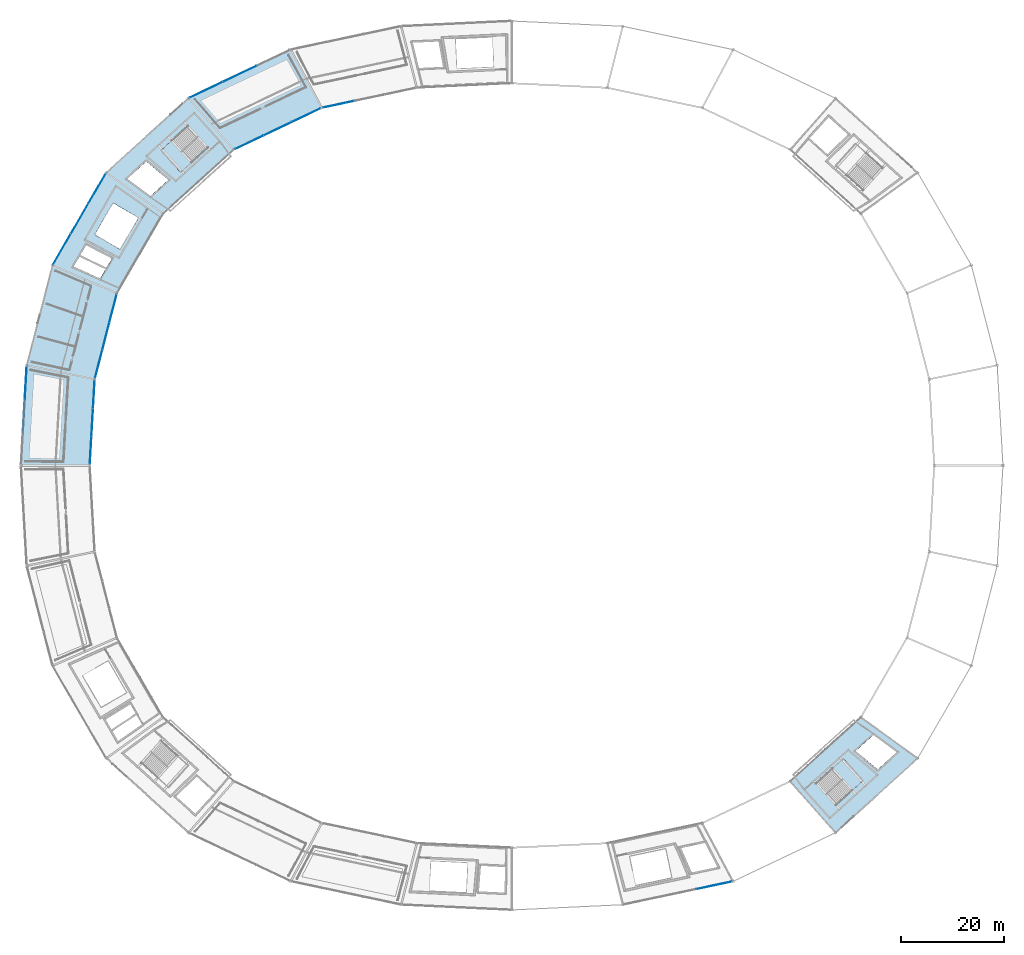
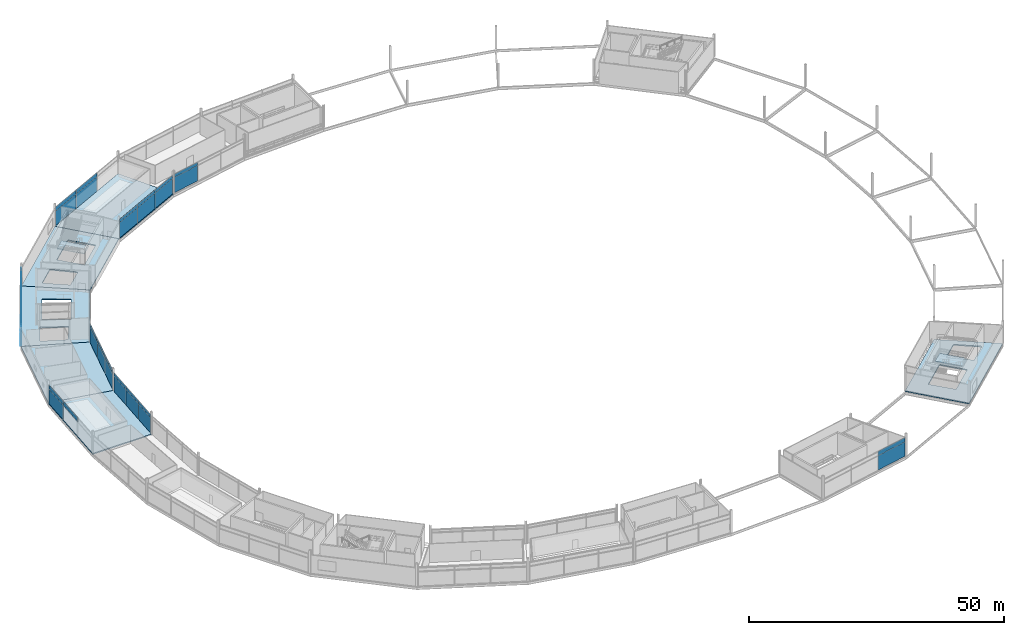
# One storey, part 65 of 86: 35 plates, 8 slabs, 10 elements without a shape of their own.
"""IFC4 building model written with IfcOpenShell, lengths in metres."""

from ifc_helpers import new_model, si_unit, direction, frame, origin, origin_2d, place, context, subcontext, project, spatial, polyline, rectangle, outline, extrude, material, layer, layer_set, type_object, element, aggregate, save


model = new_model("IFC4")

# Units and contexts
model_context = context("Model", 3, precision=1e-05, world=origin(), true_north=direction((0.0, 1.0)))
body_context = subcontext(model_context, "Body", "Model", "MODEL_VIEW")
ifc_project = project(units=[si_unit("LENGTHUNIT", "METRE"), si_unit("AREAUNIT", "SQUARE_METRE"), si_unit("VOLUMEUNIT", "CUBIC_METRE"), si_unit("PLANEANGLEUNIT", "RADIAN"), si_unit("MASSUNIT", "GRAM", prefix="KILO")], contexts=[model_context])

# Site, building, storey
site_placement = place(None, origin())
site = spatial("IfcSite", under=ifc_project, at=site_placement, CompositionType="ELEMENT")
building_placement = place(site_placement, origin())
building = spatial("IfcBuilding", under=site, at=building_placement, Name="Kazemori Nagisa Stadium", CompositionType="ELEMENT")
storey_placement = place(building_placement, frame((0.0, 0.0, 31.280029296875)))
storey = spatial("IfcBuildingStorey", under=building, at=storey_placement, Name="L06", CompositionType="ELEMENT", Elevation=31.280029296875)

# Curtain wall, plates
ifc_material_1 = material(Name="Anodised aluminium 6063-T5", Category="aluminium")
ifc_layer_1 = layer(ifc_material_1, 0.239990234375, Name="Anodised aluminium 6063-T5", Category="aluminium")
ifc_layer_set_1 = layer_set([ifc_layer_1], Name="Anodised aluminium 6063-T5")
curtain_wall_type_1 = type_object("IfcCurtainWallType", Name="CW_L06G_81", PredefinedType="USERDEFINED", material=ifc_layer_set_1)
curtain_wall_1_placement = place(storey_placement, origin())
curtain_wall_1 = element("IfcCurtainWall", 1, at=curtain_wall_1_placement, inside=storey, type_object=curtain_wall_type_1, Name="Unitised curtain wall CW-L06G-81 L06", ObjectType="UNITISED CURTAIN WALL", PredefinedType="USERDEFINED")
ifc_material_2 = material(Name="Anodised aluminium spandrel sheet", Category="aluminium")
ifc_layer_2 = layer(ifc_material_2, 0.050048828125, Name="Anodised aluminium spandrel sheet", Category="aluminium")
ifc_layer_set_2 = layer_set([ifc_layer_2], Name="Anodised aluminium spandrel sheet")
plate_type_1 = type_object("IfcPlateType", Name="CWPanel_SPN_L06G_81", PredefinedType="CURTAIN_PANEL", material=ifc_layer_set_2)
plate_1_placement = place(storey_placement, frame((42.091064453125, 115.7119140625, 3.6982421875), z_axis=(0.0, 0.0, 1.0), x_axis=(-0.057601670941, -0.998339645364, 0.0)))
plate_1 = element("IfcPlate", 2, at=plate_1_placement, type_object=plate_type_1, Name="Curtain wall spandrel panel CW-L06G-81-S1", PredefinedType="CURTAIN_PANEL", context=body_context, shape_type="SweptSolid", body=[
    extrude(rectangle(XDim=5.35595703125, YDim=0.050048828125, at=origin_2d()), origin(), (0.0, 0.0, 1.0), 0.811767578125),
])
plate_2_placement = place(storey_placement, frame((41.78125, 110.341064453125, 3.6982421875), z_axis=(0.0, 0.0, 1.0), x_axis=(-0.057601670941, -0.998339645364, 0.0)))
plate_2 = element("IfcPlate", 3, at=plate_2_placement, type_object=plate_type_1, Name="Curtain wall spandrel panel CW-L06G-81-S2", PredefinedType="CURTAIN_PANEL", context=body_context, shape_type="SweptSolid", body=[
    extrude(rectangle(XDim=5.35595703125, YDim=0.050048828125, at=origin_2d()), origin(), (0.0, 0.0, 1.0), 0.811767578125),
])
plate_3_placement = place(storey_placement, frame((41.471435546875, 104.969970703125, 3.6982421875), z_axis=(0.0, 0.0, 1.0), x_axis=(-0.057601670941, -0.998339645364, 0.0)))
plate_3 = element("IfcPlate", 4, at=plate_3_placement, type_object=plate_type_1, Name="Curtain wall spandrel panel CW-L06G-81-S3", PredefinedType="CURTAIN_PANEL", context=body_context, shape_type="SweptSolid", body=[
    extrude(rectangle(XDim=5.35595703125, YDim=0.050048828125, at=origin_2d()), origin(), (0.0, 0.0, 1.0), 0.811767578125),
])

ifc_layer_3 = layer(ifc_material_1, 0.239990234375, Name="Anodised aluminium 6063-T5", Category="aluminium")
ifc_layer_set_3 = layer_set([ifc_layer_3], Name="Anodised aluminium 6063-T5")
curtain_wall_type_2 = type_object("IfcCurtainWallType", Name="CW_L06G_83", PredefinedType="USERDEFINED", material=ifc_layer_set_3)
curtain_wall_2_placement = place(storey_placement, origin())
curtain_wall_2 = element("IfcCurtainWall", 5, at=curtain_wall_2_placement, inside=storey, type_object=curtain_wall_type_2, Name="Unitised curtain wall CW-L06G-83 L06", ObjectType="UNITISED CURTAIN WALL", PredefinedType="USERDEFINED")
ifc_layer_4 = layer(ifc_material_2, 0.050048828125, Name="Anodised aluminium spandrel sheet", Category="aluminium")
ifc_layer_set_4 = layer_set([ifc_layer_4], Name="Anodised aluminium spandrel sheet")
plate_type_2 = type_object("IfcPlateType", Name="CWPanel_SPN_L06G_83", PredefinedType="CURTAIN_PANEL", material=ifc_layer_set_4)
plate_4_placement = place(storey_placement, frame((45.79541015625, 132.366943359375, 3.6982421875), z_axis=(0.0, 0.0, 1.0), x_axis=(-0.249964642418, -0.968254965152, 0.0)))
plate_4 = element("IfcPlate", 6, at=plate_4_placement, type_object=plate_type_2, Name="Curtain wall spandrel panel CW-L06G-83-S1", PredefinedType="CURTAIN_PANEL", context=body_context, shape_type="SweptSolid", body=[
    extrude(rectangle(XDim=5.515380859375, YDim=0.050048828125, at=origin_2d()), origin(), (0.0, 0.0, 1.0), 0.811767578125),
])
plate_5_placement = place(storey_placement, frame((44.41064453125, 127.00341796875, 3.6982421875), z_axis=(0.0, 0.0, 1.0), x_axis=(-0.249964642418, -0.968254965152, 0.0)))
plate_5 = element("IfcPlate", 7, at=plate_5_placement, type_object=plate_type_2, Name="Curtain wall spandrel panel CW-L06G-83-S2", PredefinedType="CURTAIN_PANEL", context=body_context, shape_type="SweptSolid", body=[
    extrude(rectangle(XDim=5.515380859375, YDim=0.050048828125, at=origin_2d()), origin(), (0.0, 0.0, 1.0), 0.811767578125),
])
plate_6_placement = place(storey_placement, frame((43.026123046875, 121.6396484375, 3.6982421875), z_axis=(0.0, 0.0, 1.0), x_axis=(-0.249964642418, -0.968254965152, 0.0)))
plate_6 = element("IfcPlate", 8, at=plate_6_placement, type_object=plate_type_2, Name="Curtain wall spandrel panel CW-L06G-83-S3", PredefinedType="CURTAIN_PANEL", context=body_context, shape_type="SweptSolid", body=[
    extrude(rectangle(XDim=5.515380859375, YDim=0.050048828125, at=origin_2d()), origin(), (0.0, 0.0, 1.0), 0.811767578125),
])

# Curtain wall, plate
ifc_layer_5 = layer(ifc_material_1, 0.239990234375, Name="Anodised aluminium 6063-T5", Category="aluminium")
ifc_layer_set_5 = layer_set([ifc_layer_5], Name="Anodised aluminium 6063-T5")
curtain_wall_type_3 = type_object("IfcCurtainWallType", Name="CW_L06G_91", PredefinedType="USERDEFINED", material=ifc_layer_set_5)
curtain_wall_3_placement = place(storey_placement, origin())
curtain_wall_3 = element("IfcCurtainWall", 9, at=curtain_wall_3_placement, inside=storey, type_object=curtain_wall_type_3, Name="Unitised curtain wall CW-L06G-91 L06", ObjectType="UNITISED CURTAIN WALL", PredefinedType="USERDEFINED")
ifc_layer_6 = layer(ifc_material_2, 0.050048828125, Name="Anodised aluminium spandrel sheet", Category="aluminium")
ifc_layer_set_6 = layer_set([ifc_layer_6], Name="Anodised aluminium spandrel sheet")
plate_type_3 = type_object("IfcPlateType", Name="CWPanel_SPN_L06G_91", PredefinedType="CURTAIN_PANEL", material=ifc_layer_set_6)
plate_7_placement = place(storey_placement, frame((89.437744140625, 171.88671875, 3.6982421875), z_axis=(0.0, 0.0, 1.0), x_axis=(-0.978344955407, -0.206981033502, 0.0)))
plate_7 = element("IfcPlate", 10, at=plate_7_placement, type_object=plate_type_3, Name="Curtain wall spandrel panel CW-L06G-91-S3", PredefinedType="CURTAIN_PANEL", context=body_context, shape_type="SweptSolid", body=[
    extrude(rectangle(XDim=6.049560546875, YDim=0.050048828125, at=origin_2d()), origin(), (0.0, 0.0, 1.0), 0.811767578125),
])

# Curtain wall, plates
ifc_layer_7 = layer(ifc_material_1, 0.239990234375, Name="Anodised aluminium 6063-T5", Category="aluminium")
ifc_layer_set_7 = layer_set([ifc_layer_7], Name="Anodised aluminium 6063-T5")
curtain_wall_type_4 = type_object("IfcCurtainWallType", Name="CW_L06G_92", PredefinedType="USERDEFINED", material=ifc_layer_set_7)
curtain_wall_4_placement = place(storey_placement, origin())
curtain_wall_4 = element("IfcCurtainWall", 11, at=curtain_wall_4_placement, inside=storey, type_object=curtain_wall_type_4, Name="Unitised curtain wall CW-L06G-92 L06", ObjectType="UNITISED CURTAIN WALL", PredefinedType="USERDEFINED")
ifc_layer_8 = layer(ifc_material_2, 0.050048828125, Name="Anodised aluminium spandrel sheet", Category="aluminium")
ifc_layer_set_8 = layer_set([ifc_layer_8], Name="Anodised aluminium spandrel sheet")
plate_type_4 = type_object("IfcPlateType", Name="CWPanel_SPN_L06G_92", PredefinedType="CURTAIN_PANEL", material=ifc_layer_set_8)
plate_8_placement = place(storey_placement, frame((83.17919921875, 169.76953125, 3.6982421875), z_axis=(0.0, 0.0, 1.0), x_axis=(-0.903215892654, -0.429186499388, 0.0)))
plate_8 = element("IfcPlate", 12, at=plate_8_placement, type_object=plate_type_4, Name="Curtain wall spandrel panel CW-L06G-92-S1", PredefinedType="CURTAIN_PANEL", context=body_context, shape_type="SweptSolid", body=[
    extrude(rectangle(XDim=6.068115234375, YDim=0.050048828125, at=origin_2d()), origin(), (0.0, 0.0, 1.0), 0.811767578125),
])
plate_9_placement = place(storey_placement, frame((77.6767578125, 167.155029296875, 3.6982421875), z_axis=(0.0, 0.0, 1.0), x_axis=(-0.903215892654, -0.429186499388, 0.0)))
plate_9 = element("IfcPlate", 13, at=plate_9_placement, type_object=plate_type_4, Name="Curtain wall spandrel panel CW-L06G-92-S2", PredefinedType="CURTAIN_PANEL", context=body_context, shape_type="SweptSolid", body=[
    extrude(rectangle(XDim=6.068115234375, YDim=0.050048828125, at=origin_2d()), origin(), (0.0, 0.0, 1.0), 0.811767578125),
])
plate_10_placement = place(storey_placement, frame((72.17431640625, 164.540283203125, 3.6982421875), z_axis=(0.0, 0.0, 1.0), x_axis=(-0.903215892654, -0.429186499388, 0.0)))
plate_10 = element("IfcPlate", 14, at=plate_10_placement, type_object=plate_type_4, Name="Curtain wall spandrel panel CW-L06G-92-S3", PredefinedType="CURTAIN_PANEL", context=body_context, shape_type="SweptSolid", body=[
    extrude(rectangle(XDim=6.068115234375, YDim=0.050048828125, at=origin_2d()), origin(), (0.0, 0.0, 1.0), 0.811767578125),
])

ifc_layer_9 = layer(ifc_material_1, 0.239990234375, Name="Anodised aluminium 6063-T5", Category="aluminium")
ifc_layer_set_9 = layer_set([ifc_layer_9], Name="Anodised aluminium 6063-T5")
curtain_wall_type_5 = type_object("IfcCurtainWallType", Name="CW_L06R3_102", PredefinedType="USERDEFINED", material=ifc_layer_set_9)
curtain_wall_5_placement = place(storey_placement, origin())
curtain_wall_5 = element("IfcCurtainWall", 15, at=curtain_wall_5_placement, inside=storey, type_object=curtain_wall_type_5, Name="Unitised curtain wall CW-L06R3-102 L06", ObjectType="UNITISED CURTAIN WALL", PredefinedType="USERDEFINED")
ifc_layer_10 = layer(ifc_material_2, 0.053955078125, Name="Anodised aluminium spandrel sheet", Category="aluminium")
ifc_layer_set_10 = layer_set([ifc_layer_10], Name="Anodised aluminium spandrel sheet")
plate_type_5 = type_object("IfcPlateType", Name="CWPanel_SPN_L06R3_102", PredefinedType="CURTAIN_PANEL", material=ifc_layer_set_10)
plate_11_placement = place(storey_placement, frame((42.6943359375, 155.545654296875, 3.47265625), z_axis=(0.0, 0.0, 1.0), x_axis=(-0.501611590054, -0.865092950337, 0.0)))
plate_11 = element("IfcPlate", 16, at=plate_11_placement, type_object=plate_type_5, Name="Curtain wall spandrel panel CW-L06R3-102-S1", PredefinedType="CURTAIN_PANEL", context=body_context, shape_type="SweptSolid", body=[
    extrude(rectangle(XDim=6.723388671875, YDim=0.053955078125, at=origin_2d()), origin(), (0.0, 0.0, 1.0), 1.037353515625),
])
plate_12_placement = place(storey_placement, frame((39.309814453125, 149.70849609375, 3.47265625), z_axis=(0.0, 0.0, 1.0), x_axis=(-0.501611590054, -0.865092950337, 0.0)))
plate_12 = element("IfcPlate", 17, at=plate_12_placement, type_object=plate_type_5, Name="Curtain wall spandrel panel CW-L06R3-102-S2", PredefinedType="CURTAIN_PANEL", context=body_context, shape_type="SweptSolid", body=[
    extrude(rectangle(XDim=6.723388671875, YDim=0.053955078125, at=origin_2d()), origin(), (0.0, 0.0, 1.0), 1.037353515625),
])
plate_13_placement = place(storey_placement, frame((35.92529296875, 143.871337890625, 3.47265625), z_axis=(0.0, 0.0, 1.0), x_axis=(-0.501611590054, -0.865092950337, 0.0)))
plate_13 = element("IfcPlate", 18, at=plate_13_placement, type_object=plate_type_5, Name="Curtain wall spandrel panel CW-L06R3-102-S3", PredefinedType="CURTAIN_PANEL", context=body_context, shape_type="SweptSolid", body=[
    extrude(rectangle(XDim=6.723388671875, YDim=0.053955078125, at=origin_2d()), origin(), (0.0, 0.0, 1.0), 1.037353515625),
])

# Curtain wall, plate
ifc_layer_11 = layer(ifc_material_1, 0.239990234375, Name="Anodised aluminium 6063-T5", Category="aluminium")
ifc_layer_set_11 = layer_set([ifc_layer_11], Name="Anodised aluminium 6063-T5")
curtain_wall_type_6 = type_object("IfcCurtainWallType", Name="CW_L06R3_107", PredefinedType="USERDEFINED", material=ifc_layer_set_11)
curtain_wall_6_placement = place(storey_placement, origin())
curtain_wall_6 = element("IfcCurtainWall", 19, at=curtain_wall_6_placement, inside=storey, type_object=curtain_wall_type_6, Name="Unitised curtain wall CW-L06R3-107 L06", ObjectType="UNITISED CURTAIN WALL", PredefinedType="USERDEFINED")
ifc_layer_12 = layer(ifc_material_2, 0.053955078125, Name="Anodised aluminium spandrel sheet", Category="aluminium")
ifc_layer_set_12 = layer_set([ifc_layer_12], Name="Anodised aluminium spandrel sheet")
plate_type_6 = type_object("IfcPlateType", Name="CWPanel_SPN_L06R3_107", PredefinedType="CURTAIN_PANEL", material=ifc_layer_set_12)
plate_14_placement = place(storey_placement, frame((162.088623046875, 20.74951171875, 3.47265625), z_axis=(0.0, 0.0, 1.0), x_axis=(0.978344955407, 0.206981033502, 0.0)))
plate_14 = element("IfcPlate", 20, at=plate_14_placement, type_object=plate_type_6, Name="Curtain wall spandrel panel CW-L06R3-107-S3", PredefinedType="CURTAIN_PANEL", context=body_context, shape_type="SweptSolid", body=[
    extrude(rectangle(XDim=7.102783203125, YDim=0.053955078125, at=origin_2d()), origin(), (0.0, 0.0, 1.0), 1.037353515625),
])

# Curtain wall, plates
ifc_layer_13 = layer(ifc_material_1, 0.239990234375, Name="Anodised aluminium 6063-T5", Category="aluminium")
ifc_layer_set_13 = layer_set([ifc_layer_13], Name="Anodised aluminium 6063-T5")
curtain_wall_type_7 = type_object("IfcCurtainWallType", Name="CW_L06R3_108", PredefinedType="USERDEFINED", material=ifc_layer_set_13)
curtain_wall_7_placement = place(storey_placement, origin())
curtain_wall_7 = element("IfcCurtainWall", 21, at=curtain_wall_7_placement, inside=storey, type_object=curtain_wall_type_7, Name="Unitised curtain wall CW-L06R3-108 L06", ObjectType="UNITISED CURTAIN WALL", PredefinedType="USERDEFINED")
ifc_layer_14 = layer(ifc_material_2, 0.053955078125, Name="Anodised aluminium spandrel sheet", Category="aluminium")
ifc_layer_set_14 = layer_set([ifc_layer_14], Name="Anodised aluminium spandrel sheet")
plate_type_7 = type_object("IfcPlateType", Name="CWPanel_SPN_L06R3_108", PredefinedType="CURTAIN_PANEL", material=ifc_layer_set_14)
plate_15_placement = place(storey_placement, frame((70.298583984375, 177.76171875, 3.47265625), z_axis=(0.0, 0.0, 1.0), x_axis=(-0.903215892654, -0.429186499388, 0.0)))
plate_15 = element("IfcPlate", 22, at=plate_15_placement, type_object=plate_type_7, Name="Curtain wall spandrel panel CW-L06R3-108-S2", PredefinedType="CURTAIN_PANEL", context=body_context, shape_type="SweptSolid", body=[
    extrude(rectangle(XDim=7.1240234375, YDim=0.053955078125, at=origin_2d()), origin(), (0.0, 0.0, 1.0), 1.037353515625),
])
plate_16_placement = place(storey_placement, frame((63.84228515625, 174.69384765625, 3.47265625), z_axis=(0.0, 0.0, 1.0), x_axis=(-0.903215892654, -0.429186499388, 0.0)))
plate_16 = element("IfcPlate", 23, at=plate_16_placement, type_object=plate_type_7, Name="Curtain wall spandrel panel CW-L06R3-108-S3", PredefinedType="CURTAIN_PANEL", context=body_context, shape_type="SweptSolid", body=[
    extrude(rectangle(XDim=7.1240234375, YDim=0.053955078125, at=origin_2d()), origin(), (0.0, 0.0, 1.0), 1.037353515625),
])

ifc_layer_15 = layer(ifc_material_1, 0.239990234375, Name="Anodised aluminium 6063-T5", Category="aluminium")
ifc_layer_set_15 = layer_set([ifc_layer_15], Name="Anodised aluminium 6063-T5")
curtain_wall_type_8 = type_object("IfcCurtainWallType", Name="CW_L06R3_95", PredefinedType="USERDEFINED", material=ifc_layer_set_15)
curtain_wall_8_placement = place(storey_placement, origin())
curtain_wall_8 = element("IfcCurtainWall", 24, at=curtain_wall_8_placement, inside=storey, type_object=curtain_wall_type_8, Name="Unitised curtain wall CW-L06R3-95 L06", ObjectType="UNITISED CURTAIN WALL", PredefinedType="USERDEFINED")
ifc_layer_16 = layer(ifc_material_2, 0.053955078125, Name="Anodised aluminium spandrel sheet", Category="aluminium")
ifc_layer_set_16 = layer_set([ifc_layer_16], Name="Anodised aluminium spandrel sheet")
plate_type_8 = type_object("IfcPlateType", Name="CWPanel_SPN_L06R3_95", PredefinedType="CURTAIN_PANEL", material=ifc_layer_set_16)
plate_17_placement = place(storey_placement, frame((28.923583984375, 118.00830078125, 3.47265625), z_axis=(0.0, 0.0, 1.0), x_axis=(-0.057601670941, -0.998339645364, 0.0)))
plate_17 = element("IfcPlate", 25, at=plate_17_placement, type_object=plate_type_8, Name="Curtain wall spandrel panel CW-L06R3-95-S1", PredefinedType="CURTAIN_PANEL", context=body_context, shape_type="SweptSolid", body=[
    extrude(rectangle(XDim=6.2958984375, YDim=0.053955078125, at=origin_2d()), origin(), (0.0, 0.0, 1.0), 1.037353515625),
])
plate_18_placement = place(storey_placement, frame((28.5595703125, 111.69873046875, 3.47265625), z_axis=(0.0, 0.0, 1.0), x_axis=(-0.057601670941, -0.998339645364, 0.0)))
plate_18 = element("IfcPlate", 26, at=plate_18_placement, type_object=plate_type_8, Name="Curtain wall spandrel panel CW-L06R3-95-S2", PredefinedType="CURTAIN_PANEL", context=body_context, shape_type="SweptSolid", body=[
    extrude(rectangle(XDim=6.2958984375, YDim=0.053955078125, at=origin_2d()), origin(), (0.0, 0.0, 1.0), 1.037353515625),
])

# Plate
ifc_material_3 = material(Name="Low-e laminated double glazing", Category="glass")
ifc_layer_17 = layer(ifc_material_3, 0.0400390625, Name="Low-e laminated double glazing", Category="glass")
ifc_layer_set_17 = layer_set([ifc_layer_17], Name="Low-e laminated double glazing")
plate_type_9 = type_object("IfcPlateType", Name="CWPanel_VIS_L06G_81", PredefinedType="CURTAIN_PANEL", material=ifc_layer_set_17)
plate_19_placement = place(storey_placement, frame((42.091064453125, 115.7119140625, 0.0), z_axis=(0.0, 0.0, 1.0), x_axis=(-0.057601670941, -0.998339645364, 0.0)))
plate_19 = element("IfcPlate", 27, at=plate_19_placement, type_object=plate_type_9, Name="Curtain wall vision panel CW-L06G-81-V1", PredefinedType="CURTAIN_PANEL", context=body_context, shape_type="SweptSolid", body=[
    extrude(rectangle(XDim=5.35595703125, YDim=0.0400390625, at=origin_2d()), origin(), (0.0, 0.0, 1.0), 3.6982421875),
])

plate_20_placement = place(storey_placement, frame((41.78125, 110.341064453125, 0.0), z_axis=(0.0, 0.0, 1.0), x_axis=(-0.057601670941, -0.998339645364, 0.0)))
plate_20 = element("IfcPlate", 28, at=plate_20_placement, type_object=plate_type_9, Name="Curtain wall vision panel CW-L06G-81-V2", PredefinedType="CURTAIN_PANEL", context=body_context, shape_type="SweptSolid", body=[
    extrude(rectangle(XDim=5.35595703125, YDim=0.0400390625, at=origin_2d()), origin(), (0.0, 0.0, 1.0), 3.6982421875),
])

plate_21_placement = place(storey_placement, frame((41.471435546875, 104.969970703125, 0.0), z_axis=(0.0, 0.0, 1.0), x_axis=(-0.057601670941, -0.998339645364, 0.0)))
plate_21 = element("IfcPlate", 29, at=plate_21_placement, type_object=plate_type_9, Name="Curtain wall vision panel CW-L06G-81-V3", PredefinedType="CURTAIN_PANEL", context=body_context, shape_type="SweptSolid", body=[
    extrude(rectangle(XDim=5.35595703125, YDim=0.0400390625, at=origin_2d()), origin(), (0.0, 0.0, 1.0), 3.6982421875),
])

aggregate(curtain_wall_1, [plate_19, plate_1, plate_20, plate_2, plate_21, plate_3])

ifc_layer_18 = layer(ifc_material_3, 0.0400390625, Name="Low-e laminated double glazing", Category="glass")
ifc_layer_set_18 = layer_set([ifc_layer_18], Name="Low-e laminated double glazing")
plate_type_10 = type_object("IfcPlateType", Name="CWPanel_VIS_L06G_83", PredefinedType="CURTAIN_PANEL", material=ifc_layer_set_18)
plate_22_placement = place(storey_placement, frame((45.79541015625, 132.366943359375, 0.0), z_axis=(0.0, 0.0, 1.0), x_axis=(-0.249964642418, -0.968254965152, 0.0)))
plate_22 = element("IfcPlate", 30, at=plate_22_placement, type_object=plate_type_10, Name="Curtain wall vision panel CW-L06G-83-V1", PredefinedType="CURTAIN_PANEL", context=body_context, shape_type="SweptSolid", body=[
    extrude(rectangle(XDim=5.515380859375, YDim=0.0400390625, at=origin_2d()), origin(), (0.0, 0.0, 1.0), 3.6982421875),
])

plate_23_placement = place(storey_placement, frame((44.41064453125, 127.00341796875, 0.0), z_axis=(0.0, 0.0, 1.0), x_axis=(-0.249964642418, -0.968254965152, 0.0)))
plate_23 = element("IfcPlate", 31, at=plate_23_placement, type_object=plate_type_10, Name="Curtain wall vision panel CW-L06G-83-V2", PredefinedType="CURTAIN_PANEL", context=body_context, shape_type="SweptSolid", body=[
    extrude(rectangle(XDim=5.515380859375, YDim=0.0400390625, at=origin_2d()), origin(), (0.0, 0.0, 1.0), 3.6982421875),
])

plate_24_placement = place(storey_placement, frame((43.026123046875, 121.6396484375, 0.0), z_axis=(0.0, 0.0, 1.0), x_axis=(-0.249964642418, -0.968254965152, 0.0)))
plate_24 = element("IfcPlate", 32, at=plate_24_placement, type_object=plate_type_10, Name="Curtain wall vision panel CW-L06G-83-V3", PredefinedType="CURTAIN_PANEL", context=body_context, shape_type="SweptSolid", body=[
    extrude(rectangle(XDim=5.515380859375, YDim=0.0400390625, at=origin_2d()), origin(), (0.0, 0.0, 1.0), 3.6982421875),
])

aggregate(curtain_wall_2, [plate_22, plate_4, plate_23, plate_5, plate_24, plate_6])

ifc_layer_19 = layer(ifc_material_3, 0.0400390625, Name="Low-e laminated double glazing", Category="glass")
ifc_layer_set_19 = layer_set([ifc_layer_19], Name="Low-e laminated double glazing")
plate_type_11 = type_object("IfcPlateType", Name="CWPanel_VIS_L06G_91", PredefinedType="CURTAIN_PANEL", material=ifc_layer_set_19)
plate_25_placement = place(storey_placement, frame((89.437744140625, 171.88671875, 0.0), z_axis=(0.0, 0.0, 1.0), x_axis=(-0.978344955407, -0.206981033502, 0.0)))
plate_25 = element("IfcPlate", 33, at=plate_25_placement, type_object=plate_type_11, Name="Curtain wall vision panel CW-L06G-91-V3", PredefinedType="CURTAIN_PANEL", context=body_context, shape_type="SweptSolid", body=[
    extrude(rectangle(XDim=6.049560546875, YDim=0.0400390625, at=origin_2d()), origin(), (0.0, 0.0, 1.0), 3.6982421875),
])

aggregate(curtain_wall_3, [plate_25, plate_7])

ifc_layer_20 = layer(ifc_material_3, 0.0400390625, Name="Low-e laminated double glazing", Category="glass")
ifc_layer_set_20 = layer_set([ifc_layer_20], Name="Low-e laminated double glazing")
plate_type_12 = type_object("IfcPlateType", Name="CWPanel_VIS_L06G_92", PredefinedType="CURTAIN_PANEL", material=ifc_layer_set_20)
plate_26_placement = place(storey_placement, frame((83.17919921875, 169.76953125, 0.0), z_axis=(0.0, 0.0, 1.0), x_axis=(-0.903215892654, -0.429186499388, 0.0)))
plate_26 = element("IfcPlate", 34, at=plate_26_placement, type_object=plate_type_12, Name="Curtain wall vision panel CW-L06G-92-V1", PredefinedType="CURTAIN_PANEL", context=body_context, shape_type="SweptSolid", body=[
    extrude(rectangle(XDim=6.068115234375, YDim=0.0400390625, at=origin_2d()), origin(), (0.0, 0.0, 1.0), 3.6982421875),
])

plate_27_placement = place(storey_placement, frame((77.6767578125, 167.155029296875, 0.0), z_axis=(0.0, 0.0, 1.0), x_axis=(-0.903215892654, -0.429186499388, 0.0)))
plate_27 = element("IfcPlate", 35, at=plate_27_placement, type_object=plate_type_12, Name="Curtain wall vision panel CW-L06G-92-V2", PredefinedType="CURTAIN_PANEL", context=body_context, shape_type="SweptSolid", body=[
    extrude(rectangle(XDim=6.068115234375, YDim=0.0400390625, at=origin_2d()), origin(), (0.0, 0.0, 1.0), 3.6982421875),
])

plate_28_placement = place(storey_placement, frame((72.17431640625, 164.540283203125, 0.0), z_axis=(0.0, 0.0, 1.0), x_axis=(-0.903215892654, -0.429186499388, 0.0)))
plate_28 = element("IfcPlate", 36, at=plate_28_placement, type_object=plate_type_12, Name="Curtain wall vision panel CW-L06G-92-V3", PredefinedType="CURTAIN_PANEL", context=body_context, shape_type="SweptSolid", body=[
    extrude(rectangle(XDim=6.068115234375, YDim=0.0400390625, at=origin_2d()), origin(), (0.0, 0.0, 1.0), 3.6982421875),
])

aggregate(curtain_wall_4, [plate_26, plate_8, plate_27, plate_9, plate_28, plate_10])

ifc_layer_21 = layer(ifc_material_3, 0.0380859375, Name="Low-e laminated double glazing", Category="glass")
ifc_layer_set_21 = layer_set([ifc_layer_21], Name="Low-e laminated double glazing")
plate_type_13 = type_object("IfcPlateType", Name="CWPanel_VIS_L06R3_102", PredefinedType="CURTAIN_PANEL", material=ifc_layer_set_21)
plate_29_placement = place(storey_placement, frame((42.6943359375, 155.545654296875, 0.0), z_axis=(0.0, 0.0, 1.0), x_axis=(-0.501611590054, -0.865092950337, 0.0)))
plate_29 = element("IfcPlate", 37, at=plate_29_placement, type_object=plate_type_13, Name="Curtain wall vision panel CW-L06R3-102-V1", PredefinedType="CURTAIN_PANEL", context=body_context, shape_type="SweptSolid", body=[
    extrude(rectangle(XDim=6.723388671875, YDim=0.0380859375, at=origin_2d()), origin(), (0.0, 0.0, 1.0), 3.47265625),
])

plate_30_placement = place(storey_placement, frame((39.309814453125, 149.70849609375, 0.0), z_axis=(0.0, 0.0, 1.0), x_axis=(-0.501611590054, -0.865092950337, 0.0)))
plate_30 = element("IfcPlate", 38, at=plate_30_placement, type_object=plate_type_13, Name="Curtain wall vision panel CW-L06R3-102-V2", PredefinedType="CURTAIN_PANEL", context=body_context, shape_type="SweptSolid", body=[
    extrude(rectangle(XDim=6.723388671875, YDim=0.0380859375, at=origin_2d()), origin(), (0.0, 0.0, 1.0), 3.47265625),
])

plate_31_placement = place(storey_placement, frame((35.92529296875, 143.871337890625, 0.0), z_axis=(0.0, 0.0, 1.0), x_axis=(-0.501611590054, -0.865092950337, 0.0)))
plate_31 = element("IfcPlate", 39, at=plate_31_placement, type_object=plate_type_13, Name="Curtain wall vision panel CW-L06R3-102-V3", PredefinedType="CURTAIN_PANEL", context=body_context, shape_type="SweptSolid", body=[
    extrude(rectangle(XDim=6.723388671875, YDim=0.0380859375, at=origin_2d()), origin(), (0.0, 0.0, 1.0), 3.47265625),
])

aggregate(curtain_wall_5, [plate_29, plate_11, plate_30, plate_12, plate_31, plate_13])

ifc_layer_22 = layer(ifc_material_3, 0.0380859375, Name="Low-e laminated double glazing", Category="glass")
ifc_layer_set_22 = layer_set([ifc_layer_22], Name="Low-e laminated double glazing")
plate_type_14 = type_object("IfcPlateType", Name="CWPanel_VIS_L06R3_107", PredefinedType="CURTAIN_PANEL", material=ifc_layer_set_22)
plate_32_placement = place(storey_placement, frame((162.088623046875, 20.74951171875, 0.0), z_axis=(0.0, 0.0, 1.0), x_axis=(0.978344955407, 0.206981033502, 0.0)))
plate_32 = element("IfcPlate", 40, at=plate_32_placement, type_object=plate_type_14, Name="Curtain wall vision panel CW-L06R3-107-V3", PredefinedType="CURTAIN_PANEL", context=body_context, shape_type="SweptSolid", body=[
    extrude(rectangle(XDim=7.102783203125, YDim=0.0380859375, at=origin_2d()), origin(), (0.0, 0.0, 1.0), 3.47265625),
])

aggregate(curtain_wall_6, [plate_32, plate_14])

ifc_layer_23 = layer(ifc_material_3, 0.0380859375, Name="Low-e laminated double glazing", Category="glass")
ifc_layer_set_23 = layer_set([ifc_layer_23], Name="Low-e laminated double glazing")
plate_type_15 = type_object("IfcPlateType", Name="CWPanel_VIS_L06R3_108", PredefinedType="CURTAIN_PANEL", material=ifc_layer_set_23)
plate_33_placement = place(storey_placement, frame((70.298583984375, 177.76171875, 0.0), z_axis=(0.0, 0.0, 1.0), x_axis=(-0.903215892654, -0.429186499388, 0.0)))
plate_33 = element("IfcPlate", 41, at=plate_33_placement, type_object=plate_type_15, Name="Curtain wall vision panel CW-L06R3-108-V2", PredefinedType="CURTAIN_PANEL", context=body_context, shape_type="SweptSolid", body=[
    extrude(rectangle(XDim=7.1240234375, YDim=0.0380859375, at=origin_2d()), origin(), (0.0, 0.0, 1.0), 3.47265625),
])

plate_34_placement = place(storey_placement, frame((63.84228515625, 174.69384765625, 0.0), z_axis=(0.0, 0.0, 1.0), x_axis=(-0.903215892654, -0.429186499388, 0.0)))
plate_34 = element("IfcPlate", 42, at=plate_34_placement, type_object=plate_type_15, Name="Curtain wall vision panel CW-L06R3-108-V3", PredefinedType="CURTAIN_PANEL", context=body_context, shape_type="SweptSolid", body=[
    extrude(rectangle(XDim=7.1240234375, YDim=0.0380859375, at=origin_2d()), origin(), (0.0, 0.0, 1.0), 3.47265625),
])

aggregate(curtain_wall_7, [plate_33, plate_15, plate_34, plate_16])

ifc_layer_24 = layer(ifc_material_3, 0.0380859375, Name="Low-e laminated double glazing", Category="glass")
ifc_layer_set_24 = layer_set([ifc_layer_24], Name="Low-e laminated double glazing")
plate_type_16 = type_object("IfcPlateType", Name="CWPanel_VIS_L06R3_95", PredefinedType="CURTAIN_PANEL", material=ifc_layer_set_24)
plate_35_placement = place(storey_placement, frame((28.923583984375, 118.00830078125, 0.0), z_axis=(0.0, 0.0, 1.0), x_axis=(-0.057601670941, -0.998339645364, 0.0)))
plate_35 = element("IfcPlate", 43, at=plate_35_placement, type_object=plate_type_16, Name="Curtain wall vision panel CW-L06R3-95-V1", PredefinedType="CURTAIN_PANEL", context=body_context, shape_type="SweptSolid", body=[
    extrude(rectangle(XDim=6.2958984375, YDim=0.0380859375, at=origin_2d()), origin(), (0.0, 0.0, 1.0), 3.47265625),
])

aggregate(curtain_wall_8, [plate_35, plate_17, plate_18])

# Stair, slab
ifc_material_4 = material(Name="Concrete C36/45 (Fc36)", Category="concrete")
stair_type = type_object("IfcStairType", Name="Stair_CORE_32", PredefinedType="TWO_STRAIGHT_RUN_STAIR", material=ifc_material_4)
stair_1_placement = place(storey_placement, origin())
stair_1 = element("IfcStair", 44, at=stair_1_placement, inside=storey, type_object=stair_type, Name="Exit stair ST02 L06", PredefinedType="TWO_STRAIGHT_RUN_STAIR")
ifc_layer_25 = layer(ifc_material_4, 0.199951171875, Name="Concrete C36/45 (Fc36)", Category="concrete")
ifc_layer_set_25 = layer_set([ifc_layer_25], Name="Concrete C36/45 (Fc36)")
slab_type_1 = type_object("IfcSlabType", Name="Slab_SL-LND-200", PredefinedType="LANDING", material=ifc_layer_set_25)
slab_1_placement = place(storey_placement, frame((0.0, 0.0, 2.52001953125)))
slab_1 = element("IfcSlab", 45, at=slab_1_placement, type_object=slab_type_1, Name="Exit stair ST02 L06 mid-landing", PredefinedType="LANDING", context=body_context, shape_type="SweptSolid", body=[
    extrude(outline(polyline([(60.97412109375, 160.630615234375), (58.861328125, 158.7177734375), (55.035888671875, 162.943603515625), (57.148681640625, 164.856201171875), (60.97412109375, 160.630615234375)])), origin(), (0.0, 0.0, 1.0), 0.199951171875),
])
aggregate(stair_1, [slab_1])

stair_2_placement = place(storey_placement, origin())
stair_2 = element("IfcStair", 46, at=stair_2_placement, inside=storey, type_object=stair_type, Name="Exit stair ST04 L06", PredefinedType="TWO_STRAIGHT_RUN_STAIR")
slab_2_placement = place(storey_placement, frame((0.0, 0.0, 2.52001953125)))
slab_2 = element("IfcSlab", 47, at=slab_2_placement, type_object=slab_type_1, Name="Exit stair ST04 L06 mid-landing", PredefinedType="LANDING", context=body_context, shape_type="SweptSolid", body=[
    extrude(outline(polyline([(185.02587890625, 43.369384765625), (187.138671875, 45.2822265625), (190.964111328125, 41.056396484375), (188.851318359375, 39.143798828125), (185.02587890625, 43.369384765625)])), origin(), (0.0, 0.0, 1.0), 0.199951171875),
])
aggregate(stair_2, [slab_2])

# Slabs
ifc_layer_26 = layer(ifc_material_4, 0.260009765625, Name="Concrete C36/45 (Fc36)", Category="concrete")
ifc_layer_set_26 = layer_set([ifc_layer_26], Name="Concrete C36/45 (Fc36)")
slab_type_2 = type_object("IfcSlabType", Name="Slab_SL-MEDIA-260", PredefinedType="FLOOR", material=ifc_layer_set_26)
slab_3_placement = place(storey_placement, frame((0.0, 0.0, -0.260009765625)))
element("IfcSlab", 48, at=slab_3_placement, inside=storey, type_object=slab_type_2, Name="Concourse floor slab L06 bay 10", PredefinedType="FLOOR", context=body_context, shape_type="SweptSolid", body=[
    extrude(outline(polyline([(86.18798828125, 171.19921875), (69.165771484375, 163.11083984375), (60.402099609375, 173.05908203125), (80.1953125, 182.46435546875), (86.18798828125, 171.19921875)])), origin(), (0.0, 0.0, 1.0), 0.260009765625),
])
slab_4_placement = place(storey_placement, frame((0.0, 0.0, -0.260009765625)))
element("IfcSlab", 49, at=slab_4_placement, inside=storey, type_object=slab_type_2, Name="Concourse floor slab L06 bay 11", PredefinedType="FLOOR", context=body_context, shape_type="SweptSolid", body=[
    extrude(outline(polyline([(69.165771484375, 163.11083984375), (55.493896484375, 150.734130859375), (44.504638671875, 158.667724609375), (60.402099609375, 173.05908203125), (69.165771484375, 163.11083984375)]), holes=[polyline([(64.12109375, 163.4794921875), (58.861328125, 158.7177734375), (55.035888671875, 162.943603515625), (60.2958984375, 167.705078125), (64.12109375, 163.4794921875)]), polyline([(56.495361328125, 157.260498046875), (53.046142578125, 154.13818359375), (48.557861328125, 157.4833984375), (52.228271484375, 160.80615234375), (56.495361328125, 157.260498046875)])]), origin(), (0.0, 0.0, 1.0), 0.260009765625),
])
slab_5_placement = place(storey_placement, frame((0.0, 0.0, -0.260009765625)))
element("IfcSlab", 50, at=slab_5_placement, inside=storey, type_object=slab_type_2, Name="Concourse floor slab L06 bay 12", PredefinedType="FLOOR", context=body_context, shape_type="SweptSolid", body=[
    extrude(outline(polyline([(55.493896484375, 150.734130859375), (46.55908203125, 135.32470703125), (34.114990234375, 140.74951171875), (44.504638671875, 158.667724609375), (55.493896484375, 150.734130859375)]), holes=[polyline([(50.736083984375, 149.940673828125), (47.17724609375, 143.802734375), (42.24609375, 146.661865234375), (45.80517578125, 152.7998046875), (50.736083984375, 149.940673828125)]), polyline([(45.5595703125, 142.051025390625), (43.305419921875, 138.163330078125), (38.1923828125, 140.483642578125), (40.591064453125, 144.62060546875), (45.5595703125, 142.051025390625)])]), origin(), (0.0, 0.0, 1.0), 0.260009765625),
])
slab_6_placement = place(storey_placement, frame((0.0, 0.0, -0.260009765625)))
element("IfcSlab", 51, at=slab_6_placement, inside=storey, type_object=slab_type_2, Name="Concourse floor slab L06 bay 13", PredefinedType="FLOOR", context=body_context, shape_type="SweptSolid", body=[
    extrude(outline(polyline([(46.55908203125, 135.32470703125), (42.262451171875, 118.68212890625), (29.119140625, 121.397705078125), (34.114990234375, 140.74951171875), (46.55908203125, 135.32470703125)])), origin(), (0.0, 0.0, 1.0), 0.260009765625),
])
slab_7_placement = place(storey_placement, frame((0.0, 0.0, -0.260009765625)))
element("IfcSlab", 52, at=slab_7_placement, inside=storey, type_object=slab_type_2, Name="Concourse floor slab L06 bay 14", PredefinedType="FLOOR", context=body_context, shape_type="SweptSolid", body=[
    extrude(outline(polyline([(42.262451171875, 118.68212890625), (41.300048828125, 102.0), (28.0, 102.0), (29.119140625, 121.397705078125), (42.262451171875, 118.68212890625)])), origin(), (0.0, 0.0, 1.0), 0.260009765625),
])
slab_8_placement = place(storey_placement, frame((0.0, 0.0, -0.260009765625)))
element("IfcSlab", 53, at=slab_8_placement, inside=storey, type_object=slab_type_2, Name="Concourse floor slab L06 bay 25", PredefinedType="FLOOR", context=body_context, shape_type="SweptSolid", body=[
    extrude(outline(polyline([(176.834228515625, 40.88916015625), (190.506103515625, 53.265869140625), (201.495361328125, 45.332275390625), (185.597900390625, 30.94091796875), (176.834228515625, 40.88916015625)]), holes=[polyline([(181.87890625, 40.5205078125), (187.138671875, 45.2822265625), (190.964111328125, 41.056396484375), (185.7041015625, 36.294921875), (181.87890625, 40.5205078125)]), polyline([(189.504638671875, 46.739501953125), (192.953857421875, 49.86181640625), (197.442138671875, 46.5166015625), (193.771728515625, 43.19384765625), (189.504638671875, 46.739501953125)])]), origin(), (0.0, 0.0, 1.0), 0.260009765625),
])

save(model, "model.ifc")
